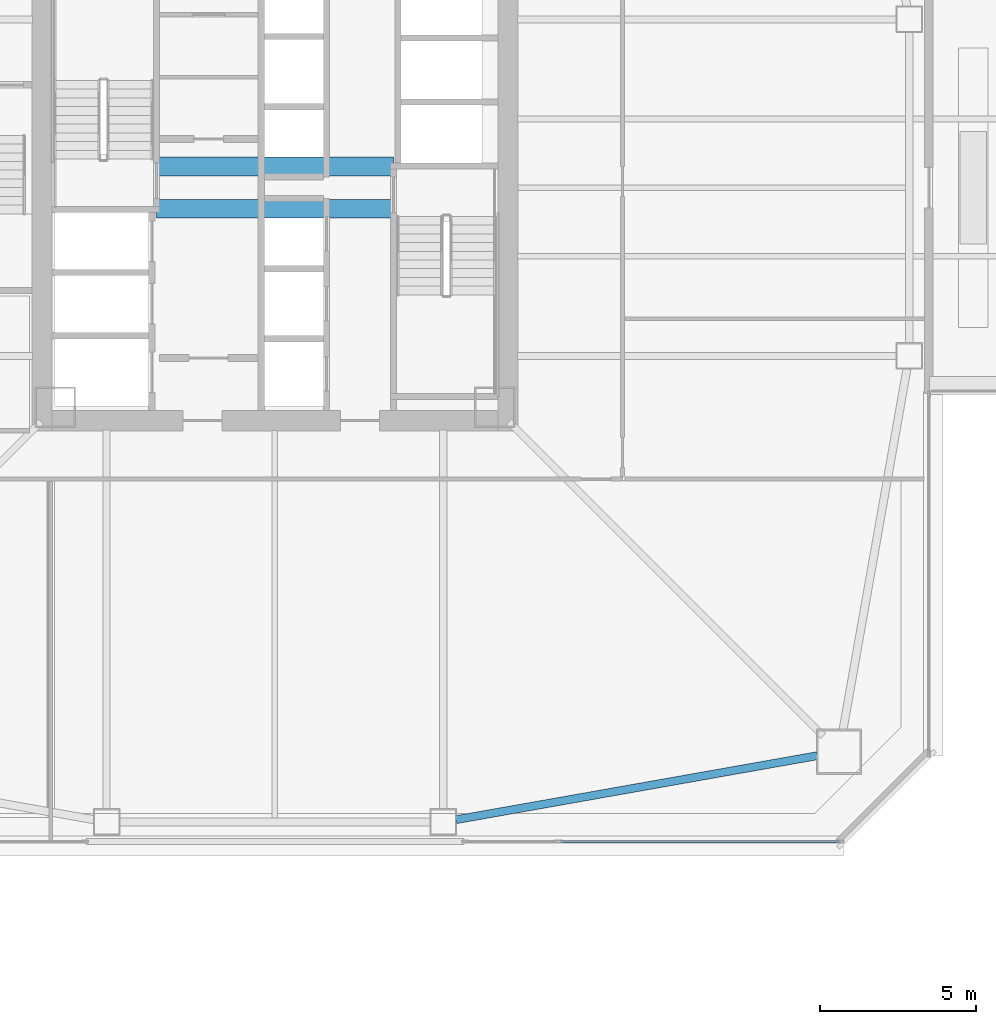
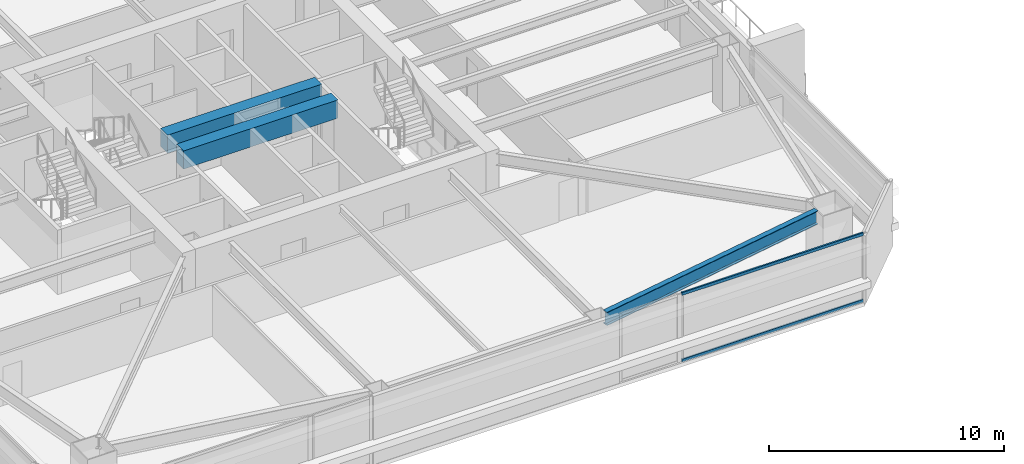
# One storey, part 7 of 46: 3 beams, 2 members, 1 element without a shape of its own.
"""IFC4 building model written with IfcOpenShell, lengths in metres."""

from ifc_helpers import new_model, si_unit, direction, frame, origin, origin_2d, place, context, subcontext, project, spatial, rectangle, hollow_rectangle, i_section, extrude, material, material_profile, profile_set, type_object, element, aggregate, save


model = new_model("IFC4")

# Units and contexts
model_context = context("Model", 3, precision=1e-05, world=origin(), true_north=direction((0.0, 1.0)))
body_context = subcontext(model_context, "Body", "Model", "MODEL_VIEW")
ifc_project = project(units=[si_unit("LENGTHUNIT", "METRE"), si_unit("AREAUNIT", "SQUARE_METRE"), si_unit("VOLUMEUNIT", "CUBIC_METRE"), si_unit("PLANEANGLEUNIT", "RADIAN"), si_unit("MASSUNIT", "GRAM", prefix="KILO")], contexts=[model_context])

# Site, building, storey
site_placement = place(None, origin())
site = spatial("IfcSite", under=ifc_project, at=site_placement, CompositionType="ELEMENT")
building_placement = place(site_placement, origin())
building = spatial("IfcBuilding", under=site, at=building_placement, Name="Tashvorn Skyway Center", CompositionType="ELEMENT")
storey_placement = place(building_placement, frame((0.0, 0.0, 99.14990234375)))
storey = spatial("IfcBuildingStorey", under=building, at=storey_placement, Name="L26", CompositionType="ELEMENT", Elevation=99.14990234375)

# Beams
ifc_material_1 = material(Name="Concrete C60/75", Category="concrete")
ifc_material_profile_1 = material_profile(ifc_material_1, rectangle(XDim=0.60009765625, YDim=0.949951171875, at=origin_2d()), Name="RCB600x950")
ifc_profile_set_1 = profile_set([ifc_material_profile_1], Name="Concrete C60/75")
beam_type_1 = type_object("IfcBeamType", Name="BM-LINTEL-RCB600x950", PredefinedType="LINTEL", material=ifc_profile_set_1)
for number, where, z_axis, x_axis, name in (
    (1, (38.199951171875, 32.679931640625, 2.875), (1.0, 0.0, 0.0), (0.0, 1.0, 0.0), "Tower 1 L26 Core Coupling Beam CN"),
    (2, (38.199951171875, 31.320068359375, 2.875), (1.0, 0.0, 0.0), (0.0, 1.0, 0.0), "Tower 1 L26 Core Coupling Beam CS"),
):
    element("IfcBeam", number, at=place(storey_placement, frame(where, z_axis=z_axis, x_axis=x_axis)), inside=storey, type_object=beam_type_1, Name=name, PredefinedType="LINTEL", context=body_context, shape_type="SweptSolid", body=[
        extrude(rectangle(XDim=0.60009765625, YDim=0.949951171875, at=origin_2d()), origin(), (0.0, 0.0, 1.0), 7.60009765625),
    ])
ifc_material_2 = material(Name="Steel ASTM A992 Grade 50", Category="steel")
ifc_material_profile_2 = material_profile(ifc_material_2, i_section(OverallWidth=0.256103515625, OverallDepth=0.693115234375, WebThickness=0.014404296875, FlangeThickness=0.023681640625, at=origin_2d()), Name="W27X114")
ifc_profile_set_2 = profile_set([ifc_material_profile_2], Name="Steel ASTM A992 Grade 50")
beam_type_2 = type_object("IfcBeamType", Name="BM-SPANDREL-W27X114", PredefinedType="SPANDREL", material=ifc_profile_set_2)
beam_placement = place(storey_placement, frame((47.8134765625, 11.723388671875, 3.003662109375), z_axis=(0.98466816531, 0.174437966698, 0.0), x_axis=(-0.174437966698, 0.98466816531, 0.0)))
element("IfcBeam", 3, at=beam_placement, inside=storey, type_object=beam_type_2, Name="Tower 1 L26 Spandrel Beam 03", PredefinedType="SPANDREL", context=body_context, shape_type="SweptSolid", body=[
    extrude(i_section(OverallWidth=0.256103515625, OverallDepth=0.693115234375, WebThickness=0.014404296875, FlangeThickness=0.023681640625, at=origin_2d()), origin(), (0.0, 0.0, 1.0), 11.7578125),
])

# Curtain wall, members
ifc_material_3 = material(Name="Thermally broken bronze-anodized aluminium 6063-T6", Category="aluminium")
curtain_wall_type = type_object("IfcCurtainWallType", Name="CW-CW-Z2", PredefinedType="NOTDEFINED", material=ifc_material_3)
curtain_wall_placement = place(storey_placement, origin())
curtain_wall = element("IfcCurtainWall", 4, at=curtain_wall_placement, inside=storey, type_object=curtain_wall_type, Name="Tower 1 L26 South Unitised Curtain Wall Glazing Group 1", PredefinedType="NOTDEFINED")
ifc_material_profile_3 = material_profile(ifc_material_3, hollow_rectangle(XDim=0.080078125, YDim=0.14990234375, WallThickness=0.00439453125, at=origin_2d()), Name="ALU-TRAN-80x150")
ifc_profile_set_3 = profile_set([ifc_material_profile_3], Name="Thermally broken bronze-anodized aluminium 6063-T6")
member_type = type_object("IfcMemberType", Name="CWT-CW-Z2", PredefinedType="USERDEFINED", material=ifc_profile_set_3)
member_1_placement = place(storey_placement, frame((60.10009765625, 11.02001953125, 0.0400390625), z_axis=(-1.0, 0.0, 0.0), x_axis=(0.0, -1.0, 0.0)))
member_1 = element("IfcMember", 5, at=member_1_placement, type_object=member_type, Name="CW-Z2 transom 1.1", ObjectType="TRANSOM", PredefinedType="USERDEFINED", context=body_context, shape_type="SweptSolid", body=[
    extrude(hollow_rectangle(XDim=0.080078125, YDim=0.14990234375, WallThickness=0.00439453125, at=origin_2d()), origin(), (0.0, 0.0, 1.0), 8.93017578125),
])
member_2_placement = place(storey_placement, frame((60.10009765625, 11.02001953125, 3.510009765625), z_axis=(-1.0, 0.0, 0.0), x_axis=(0.0, -1.0, 0.0)))
member_2 = element("IfcMember", 6, at=member_2_placement, type_object=member_type, Name="CW-Z2 transom 1.2", ObjectType="TRANSOM", PredefinedType="USERDEFINED", context=body_context, shape_type="SweptSolid", body=[
    extrude(hollow_rectangle(XDim=0.080078125, YDim=0.14990234375, WallThickness=0.00439453125, at=origin_2d()), origin(), (0.0, 0.0, 1.0), 8.93017578125),
])
aggregate(curtain_wall, [member_1, member_2])

save(model, "model.ifc")
